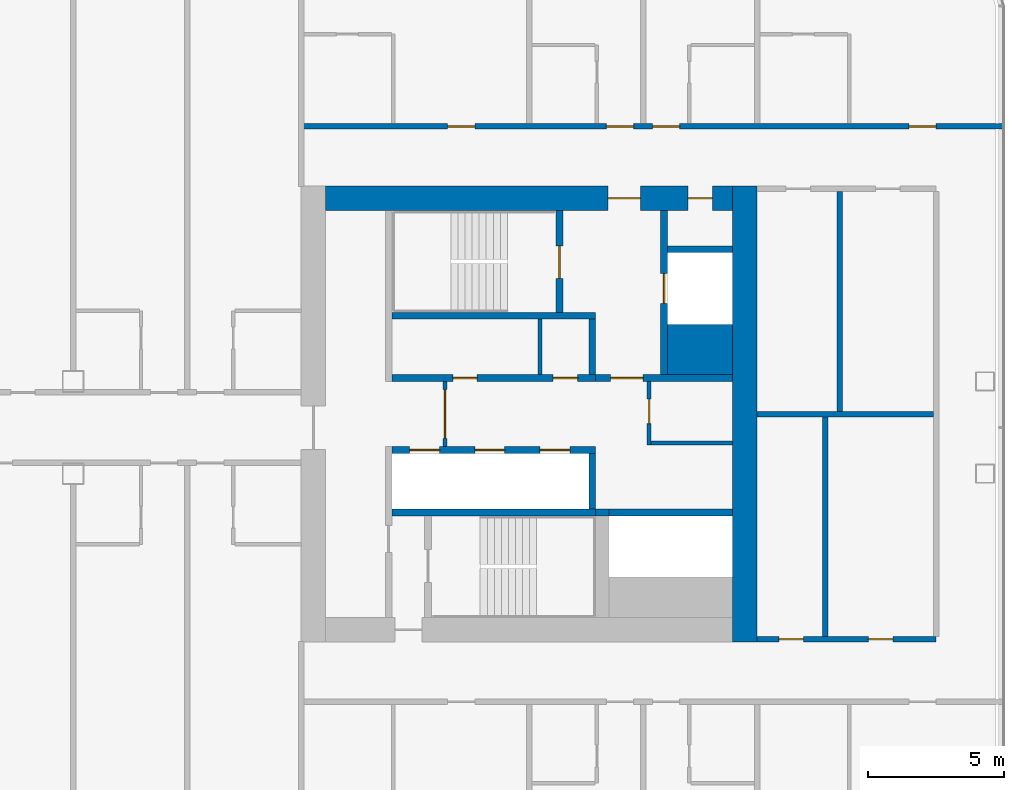
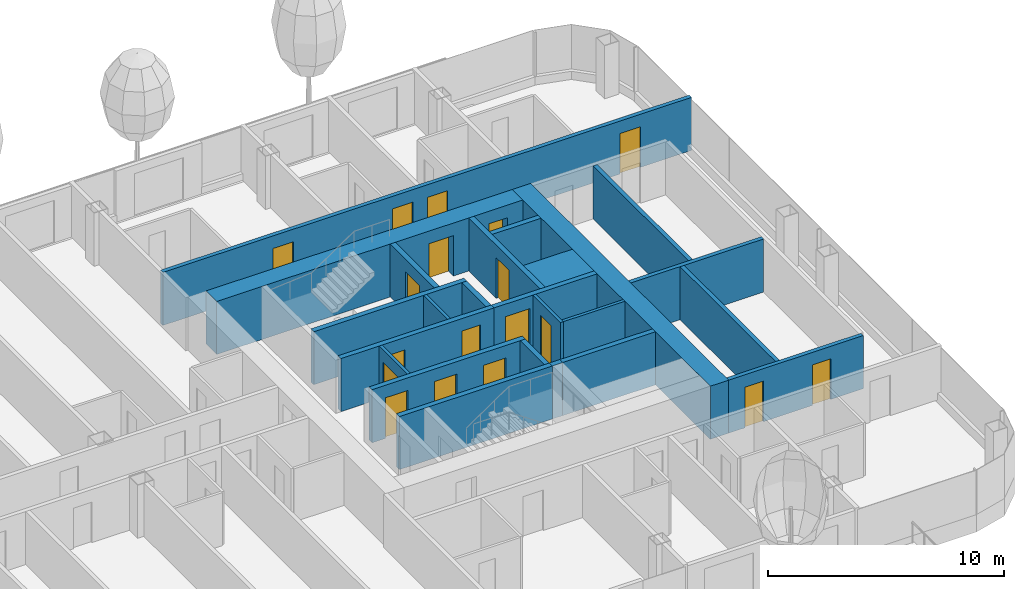
# One storey, part 15 of 30: 24 walls, 18 doors, 18 openings.
"""IFC4 building model written with IfcOpenShell, lengths in metres."""

import ifcopenshell
import ifcopenshell.guid

model = None  # the IFC model being written
_history = None  # IfcOwnerHistory: only IFC2X3 demands one
_inside = {}  # id of a spatial element -> (the spatial element, [elements in it])
_under = {}  # id of a project, library or spatial element -> (it, [spatial elements below it])
_declared = {}  # id of a project -> (the project, [libraries it declares])
_typed = {}  # id of a type object -> (the type object, [elements of that type])
_made_of = {}  # id of a material, layer set ... -> (it, [elements and type objects made of it])


def new_model(schema):
    """Start an empty IFC model of exactly this schema.

    Asked for "IFC4X3", IfcOpenShell would pick the latest addendum, in which some entities
    have other attributes; the version numbers below select the first issue.
    IFC2X3 requires an IfcOwnerHistory on every rooted entity: one is made here for all.
    """
    global model, _history
    if schema == "IFC4X3":
        model = ifcopenshell.file(schema_version=(4, 3, 0, 0))
    else:
        model = ifcopenshell.file(schema=schema)
    _inside.clear()
    _under.clear()
    _declared.clear()
    _typed.clear()
    _made_of.clear()
    _history = None
    if model.schema == "IFC2X3":
        org = make("IfcOrganization", Name="unknown")
        user = make(
            "IfcPersonAndOrganization",
            ThePerson=make("IfcPerson", FamilyName="unknown"),
            TheOrganization=org,
        )
        app = make(
            "IfcApplication",
            ApplicationDeveloper=org,
            Version="unknown",
            ApplicationFullName="unknown",
            ApplicationIdentifier="unknown",
        )
        _history = make(
            "IfcOwnerHistory",
            OwningUser=user,
            OwningApplication=app,
            ChangeAction="ADDED",
            CreationDate=0,
        )
    return model


def make(cls, **values):
    """One entity of the class cls with the attributes given. An attribute that is None is left unset."""
    return model.create_entity(
        cls, **{name: value for name, value in values.items() if value is not None}
    )


def rooted(cls, **values):
    """An entity with a GlobalId (a new one), such as an element, a storey or a relation."""
    return make(cls, GlobalId=ifcopenshell.guid.new(), OwnerHistory=_history, **values)


def si_unit(unit_type, name, prefix=None):
    """IfcSIUnit, for example si_unit("LENGTHUNIT", "METRE", prefix="MILLI")."""
    return make("IfcSIUnit", UnitType=unit_type, Prefix=prefix, Name=name)


def assignment(units):
    """IfcUnitAssignment: the units of a project."""
    return None if units is None else make("IfcUnitAssignment", Units=units)


def point(xyz):
    """IfcCartesianPoint."""
    return None if xyz is None else make("IfcCartesianPoint", Coordinates=xyz)


def direction(xyz):
    """IfcDirection."""
    return None if xyz is None else make("IfcDirection", DirectionRatios=xyz)


def frame(location, z_axis=None, x_axis=None):
    """IfcAxis2Placement3D, a coordinate frame: its origin and axes. An axis left out is left unset."""
    return make(
        "IfcAxis2Placement3D",
        Location=point(location),
        Axis=direction(z_axis),
        RefDirection=direction(x_axis),
    )


def frame_2d(location, x_axis=None):
    """IfcAxis2Placement2D, a coordinate frame in the plane: its origin and x axis."""
    return make(
        "IfcAxis2Placement2D", Location=point(location), RefDirection=direction(x_axis)
    )


def origin():
    """The frame at (0, 0, 0) with its axes left unset."""
    return frame((0.0, 0.0, 0.0))


def place(relative_to, where):
    """IfcLocalPlacement: puts the frame where relative to a parent placement (None: the world)."""
    return make(
        "IfcLocalPlacement", PlacementRelTo=relative_to, RelativePlacement=where
    )


def context(
    kind, dimensions, precision=None, world=None, true_north=None, identifier=None
):
    """IfcGeometricRepresentationContext, for example the 3D "Model" context."""
    return make(
        "IfcGeometricRepresentationContext",
        ContextIdentifier=identifier,
        ContextType=kind,
        CoordinateSpaceDimension=dimensions,
        Precision=precision,
        WorldCoordinateSystem=world,
        TrueNorth=true_north,
    )


def subcontext(parent, identifier, kind, view, scale=None):
    """IfcGeometricRepresentationSubContext, for example "Body" below "Model"."""
    return make(
        "IfcGeometricRepresentationSubContext",
        ContextIdentifier=identifier,
        ContextType=kind,
        ParentContext=parent,
        TargetScale=scale,
        TargetView=view,
    )


def project(units=None, contexts=None):
    """IfcProject with its units and contexts."""
    return rooted(
        "IfcProject",
        Name="project",
        RepresentationContexts=contexts,
        UnitsInContext=assignment(units),
    )


def spatial(cls, under=None, at=None, **own):
    """A site, building, storey or space (cls), placed at a placement, below another one or the project."""
    s = rooted(cls, ObjectPlacement=at, **own)
    if under is not None:
        _under.setdefault(under.id(), (under, []))[1].append(s)
    return s


def profile(cls, at=None, kind="AREA", **sizes):
    """A parametric profile (cls). Its sizes go by their IFC names, for example OverallWidth=200.0."""
    return make(cls, ProfileType=kind, Position=at, **sizes)


def rectangle(**sizes):
    """IfcRectangleProfileDef."""
    return profile("IfcRectangleProfileDef", **sizes)


def extrude(swept, where, along, depth):
    """IfcExtrudedAreaSolid: the profile swept, set in the frame where, extruded along a direction by depth."""
    return make(
        "IfcExtrudedAreaSolid",
        SweptArea=swept,
        Position=where,
        ExtrudedDirection=direction(along),
        Depth=depth,
    )


def shape(context_of_items, identifier, shape_type, items):
    """IfcShapeRepresentation: the items that make up one representation, for example the "Body"."""
    return make(
        "IfcShapeRepresentation",
        ContextOfItems=context_of_items,
        RepresentationIdentifier=identifier,
        RepresentationType=shape_type,
        Items=items,
    )


def material(Name=None, Category=None):
    """IfcMaterial."""
    return make("IfcMaterial", Name=Name, Category=Category)


def layer(
    of_material, thickness, ventilated=None, Name=None, Category=None, Priority=None
):
    """IfcMaterialLayer: one layer of a wall or slab, of a material (None: an air gap)."""
    return make(
        "IfcMaterialLayer",
        Material=of_material,
        LayerThickness=thickness,
        IsVentilated=ventilated,
        Name=Name,
        Category=Category,
        Priority=Priority,
    )


def layer_set(layers, Name=None):
    """IfcMaterialLayerSet."""
    return make("IfcMaterialLayerSet", MaterialLayers=layers, LayerSetName=Name)


def made_of(thing, what):
    """Note that an element or type object is made of a material, layer set ...; save() writes the relation."""
    if what is not None:
        _made_of.setdefault(what.id(), (what, []))[1].append(thing)
    return thing


def type_object(cls, material=None, **own):
    """A type object (cls), such as IfcWallType, which elements share."""
    return made_of(rooted(cls, **own), material)


def element(
    cls,
    number,
    at=None,
    inside=None,
    cuts=None,
    type_object=None,
    material=None,
    context=None,
    identifier="Body",
    shape_type=None,
    held_by="IfcProductDefinitionShape",
    body=None,
    shapes=None,
    **own,
):
    """One element of the class cls, such as IfcWall. Its Tag is "e" and its number.

    at: its placement. inside: the storey or other place that contains it. cuts: it is an
    opening in that element (IfcRelVoidsElement). A single representation is given by context,
    identifier, shape_type and body (its items); several are given by shapes. held_by: the class
    of the entity that holds the representations. save() writes the other relations.
    """
    e = rooted(cls, Tag="e%d" % number, ObjectPlacement=at, **own)
    if body is not None:
        shapes = [shape(context, identifier, shape_type, body)]
    if shapes is not None:
        e.Representation = make(held_by, Representations=shapes)
    if inside is not None:
        _inside.setdefault(inside.id(), (inside, []))[1].append(e)
    if cuts is not None:
        rooted(
            "IfcRelVoidsElement", RelatingBuildingElement=cuts, RelatedOpeningElement=e
        )
    if type_object is not None:
        _typed.setdefault(type_object.id(), (type_object, []))[1].append(e)
    return made_of(e, material)


def fill(opening, filler):
    """IfcRelFillsElement: the door or window that sits in an opening."""
    return rooted(
        "IfcRelFillsElement",
        RelatingOpeningElement=opening,
        RelatedBuildingElement=filler,
    )


def aggregate(whole, parts):
    """IfcRelAggregates: a whole, such as a stair, and the parts it consists of."""
    return rooted("IfcRelAggregates", RelatingObject=whole, RelatedObjects=parts)


def save(model, path):
    """Write the relations noted so far, then the file.

    IfcRelAggregates (storeys below a building ...), IfcRelContainedInSpatialStructure (elements
    in a storey), IfcRelDefinesByType, IfcRelAssociatesMaterial and IfcRelDeclares: one each for
    every whole, place, type object, material and project.
    """
    for whole, parts in _under.values():
        aggregate(whole, parts)
    for where, things in _inside.values():
        rooted(
            "IfcRelContainedInSpatialStructure",
            RelatedElements=things,
            RelatingStructure=where,
        )
    for kind, things in _typed.values():
        rooted("IfcRelDefinesByType", RelatedObjects=things, RelatingType=kind)
    for what, things in _made_of.values():
        rooted("IfcRelAssociatesMaterial", RelatedObjects=things, RelatingMaterial=what)
    for by, libraries in _declared.values():
        rooted("IfcRelDeclares", RelatingContext=by, RelatedDefinitions=libraries)
    model.write(path)


model = new_model("IFC4")

# Units and contexts
model_context = context("Model", 3, precision=1e-05, world=origin(), true_north=direction((0.0, 1.0)))
body_context = subcontext(model_context, "Body", "Model", "MODEL_VIEW")
ifc_project = project(units=[si_unit("LENGTHUNIT", "METRE"), si_unit("AREAUNIT", "SQUARE_METRE"), si_unit("VOLUMEUNIT", "CUBIC_METRE"), si_unit("PLANEANGLEUNIT", "RADIAN"), si_unit("MASSUNIT", "GRAM", prefix="KILO")], contexts=[model_context])

# Site, building, storey
site_placement = place(None, origin())
site = spatial("IfcSite", under=ifc_project, at=site_placement, CompositionType="ELEMENT")
building_placement = place(site_placement, origin())
building = spatial("IfcBuilding", under=site, at=building_placement, Name="Hakoniwa Tower and Hamabe Station Hall", CompositionType="ELEMENT")
storey_placement = place(building_placement, frame((0.0, 0.0, 137.39990234375)))
storey = spatial("IfcBuildingStorey", under=building, at=storey_placement, Name="L38", CompositionType="ELEMENT", Elevation=137.39990234375)

# Wall, opening, door
ifc_material_1 = material(Name="Gypsum board partition")
ifc_layer_1 = layer(ifc_material_1, 0.14990234375)
ifc_layer_set_1 = layer_set([ifc_layer_1], Name="CORE PARTITION 150 EI 60")
wall_type_1 = type_object("IfcWallType", Name="CORE PARTITION 150 EI 60", PredefinedType="PARTITIONING", material=ifc_layer_set_1)
wall_1_placement = place(storey_placement, frame((22.10009765625, -1.199951171875, 0.0), z_axis=(0.0, 0.0, 1.0), x_axis=(0.0, 1.0, 0.0)))
wall_1 = element("IfcWall", 1, at=wall_1_placement, inside=storey, type_object=wall_type_1, Name="Core partition PL0 east", PredefinedType="PARTITIONING", context=body_context, shape_type="SweptSolid", body=[
    extrude(rectangle(XDim=2.39990234375, YDim=0.14990234375, at=frame_2d((1.199951171875, 0.0))), origin(), (0.0, 0.0, 1.0), 2.75),
])
opening_1_placement = place(wall_1_placement, frame((0.300048828125, 0.0, 0.0)))
opening_1 = element("IfcOpeningElement", 2, at=opening_1_placement, cuts=wall_1, Name="Opening CD-E-LP0-18", PredefinedType="OPENING", context=body_context, shape_type="SweptSolid", body=[
    extrude(rectangle(XDim=1.800048828125, YDim=2.10009765625, at=frame_2d((0.89990234375, 1.050048828125))), frame((0.0, 0.0849609375, 0.0), z_axis=(0.0, -1.0, 0.0), x_axis=(1.0, 0.0, 0.0)), (0.0, 0.0, 1.0), 0.169921875),
])
ifc_material_2 = material(Name="Steel fire door", Category="steel")
door_type_1 = type_object("IfcDoorType", Name="CORE DOOR 1800 FD60", OperationType="DOUBLE_DOOR_SINGLE_SWING", PredefinedType="DOOR", material=ifc_material_2)
door_1_placement = place(opening_1_placement, origin())
door_1 = element("IfcDoor", 3, at=door_1_placement, inside=storey, type_object=door_type_1, Name="Lift lobby partition door", OperationType="DOUBLE_DOOR_SINGLE_SWING", OverallHeight=2.10009765625, OverallWidth=1.800048828125, PredefinedType="DOOR", context=body_context, shape_type="SweptSolid", body=[
    extrude(rectangle(XDim=1.800048828125, YDim=2.10009765625, at=frame_2d((0.89990234375, 1.050048828125))), frame((0.0, 0.02490234375, 0.0), z_axis=(0.0, -1.0, 0.0), x_axis=(1.0, 0.0, 0.0)), (0.0, 0.0, 1.0), 0.050048828125),
])
fill(opening_1, door_1)

wall_2_placement = place(storey_placement, frame((29.625, -1.14990234375, 0.0), z_axis=(0.0, 0.0, 1.0), x_axis=(0.0, 1.0, 0.0)))
wall_2 = element("IfcWall", 4, at=wall_2_placement, inside=storey, type_object=wall_type_1, Name="Core partition PW0 east", PredefinedType="PARTITIONING", context=body_context, shape_type="SweptSolid", body=[
    extrude(rectangle(XDim=2.349853515625, YDim=0.14990234375, at=frame_2d((1.1748046875, 0.0))), origin(), (0.0, 0.0, 1.0), 2.75),
])
opening_2_placement = place(wall_2_placement, frame((0.800048828125, 0.0, 0.0)))
opening_2 = element("IfcOpeningElement", 5, at=opening_2_placement, cuts=wall_2, Name="Opening CD-E-RM1-9", PredefinedType="OPENING", context=body_context, shape_type="SweptSolid", body=[
    extrude(rectangle(XDim=0.89990234375, YDim=2.10009765625, at=frame_2d((0.449951171875, 1.050048828125))), frame((0.0, 0.0849609375, 0.0), z_axis=(0.0, -1.0, 0.0), x_axis=(1.0, 0.0, 0.0)), (0.0, 0.0, 1.0), 0.169921875),
])
ifc_material_3 = material(Name="Steel fire door", Category="steel")
door_type_2 = type_object("IfcDoorType", Name="CORE DOOR 900 FD30", OperationType="NOTDEFINED", PredefinedType="DOOR", material=ifc_material_3)
door_2_placement = place(opening_2_placement, origin())
door_2 = element("IfcDoor", 6, at=door_2_placement, inside=storey, type_object=door_type_2, Name="Store room door", OperationType="SINGLE_SWING_RIGHT", OverallHeight=2.10009765625, OverallWidth=0.89990234375, PredefinedType="DOOR", context=body_context, shape_type="SweptSolid", body=[
    extrude(rectangle(XDim=0.89990234375, YDim=2.10009765625, at=frame_2d((0.449951171875, 1.050048828125))), frame((0.0, 0.02490234375, 0.0), z_axis=(0.0, -1.0, 0.0), x_axis=(1.0, 0.0, 0.0)), (0.0, 0.0, 1.0), 0.050048828125),
])
fill(opening_2, door_2)

# Walls
wall_3_placement = place(storey_placement, frame((29.699951171875, -1.074951171875, 0.0), z_axis=(0.0, 0.0, 1.0), x_axis=(1.0, 0.0, 0.0)))
element("IfcWall", 7, at=wall_3_placement, inside=storey, type_object=wall_type_1, Name="Core partition PS east", PredefinedType="PARTITIONING", context=body_context, shape_type="SweptSolid", body=[
    extrude(rectangle(XDim=3.0, YDim=0.14990234375, at=frame_2d((1.5, 0.0))), origin(), (0.0, 0.0, 1.0), 2.75),
])
wall_4_placement = place(storey_placement, frame((25.60009765625, 1.449951171875, 0.0), z_axis=(0.0, 0.0, 1.0), x_axis=(0.0, 1.0, 0.0)))
element("IfcWall", 8, at=wall_4_placement, inside=storey, type_object=wall_type_1, Name="Core partition PFLR0 east", PredefinedType="PARTITIONING", context=body_context, shape_type="SweptSolid", body=[
    extrude(rectangle(XDim=2.050048828125, YDim=0.14990234375, at=frame_2d((1.02490234375, 0.0))), origin(), (0.0, 0.0, 1.0), 2.75),
])
ifc_material_4 = material(Name="Concrete C66", Category="concrete")
ifc_layer_2 = layer(ifc_material_4, 0.89990234375)
ifc_layer_set_2 = layer_set([ifc_layer_2], Name="CORE WALL 900 C66")
wall_type_2 = type_object("IfcWallType", Name="CORE WALL 900 C66", PredefinedType="SHEAR", material=ifc_layer_set_2)
wall_5_placement = place(storey_placement, frame((33.14990234375, -8.39990234375, 0.0), z_axis=(0.0, 0.0, 1.0), x_axis=(0.0, 1.0, 0.0)))
element("IfcWall", 9, at=wall_5_placement, inside=storey, type_object=wall_type_2, Name="Core wall OUTER east", PredefinedType="SHEAR", context=body_context, shape_type="SweptSolid", body=[
    extrude(rectangle(XDim=16.7998046875, YDim=0.89990234375, at=frame_2d((8.39990234375, 0.0))), origin(), (0.0, 0.0, 1.0), 2.75),
])

# Wall, openings, doors
wall_6_placement = place(storey_placement, frame((17.699951171875, 7.949951171875, 0.0), z_axis=(0.0, 0.0, 1.0), x_axis=(1.0, 0.0, 0.0)))
wall_6 = element("IfcWall", 10, at=wall_6_placement, inside=storey, type_object=wall_type_2, Name="Core wall NORTH east", PredefinedType="SHEAR", context=body_context, shape_type="SweptSolid", body=[
    extrude(rectangle(XDim=15.0, YDim=0.89990234375, at=frame_2d((7.5, 0.0))), origin(), (0.0, 0.0, 1.0), 2.75),
])
opening_3_placement = place(wall_6_placement, frame((10.39990234375, 0.0, 0.0)))
opening_3 = element("IfcOpeningElement", 11, at=opening_3_placement, cuts=wall_6, Name="Opening CD-E-FN1-12", PredefinedType="OPENING", context=body_context, shape_type="SweptSolid", body=[
    extrude(rectangle(XDim=1.199951171875, YDim=2.10009765625, at=frame_2d((0.60009765625, 1.050048828125))), frame((0.0, 0.4599609375, 0.0), z_axis=(0.0, -1.0, 0.0), x_axis=(1.0, 0.0, 0.0)), (0.0, 0.0, 1.0), 0.919921875),
])
opening_4_placement = place(wall_6_placement, frame((13.35009765625, 0.0, 0.0)))
opening_4 = element("IfcOpeningElement", 12, at=opening_4_placement, cuts=wall_6, Name="Opening CD-E-FN2-9", PredefinedType="OPENING", context=body_context, shape_type="SweptSolid", body=[
    extrude(rectangle(XDim=0.89990234375, YDim=2.10009765625, at=frame_2d((0.449951171875, 1.050048828125))), frame((0.0, 0.4599609375, 0.0), z_axis=(0.0, -1.0, 0.0), x_axis=(1.0, 0.0, 0.0)), (0.0, 0.0, 1.0), 0.919921875),
])
ifc_material_5 = material(Name="Steel fire door", Category="steel")
door_type_3 = type_object("IfcDoorType", Name="CORE DOOR 1200 FD60", OperationType="DOUBLE_DOOR_SINGLE_SWING", PredefinedType="DOOR", material=ifc_material_5)
door_3_placement = place(opening_3_placement, origin())
door_3 = element("IfcDoor", 13, at=door_3_placement, inside=storey, type_object=door_type_3, Name="Stair vestibule door to the fire-fighting lobby", OperationType="DOUBLE_DOOR_SINGLE_SWING", OverallHeight=2.10009765625, OverallWidth=1.199951171875, PredefinedType="DOOR", context=body_context, shape_type="SweptSolid", body=[
    extrude(rectangle(XDim=1.199951171875, YDim=2.10009765625, at=frame_2d((0.60009765625, 1.050048828125))), frame((0.0, 0.02490234375, 0.0), z_axis=(0.0, -1.0, 0.0), x_axis=(1.0, 0.0, 0.0)), (0.0, 0.0, 1.0), 0.050048828125),
])
fill(opening_3, door_3)
door_4_placement = place(opening_4_placement, origin())
door_4 = element("IfcDoor", 14, at=door_4_placement, inside=storey, type_object=door_type_2, Name="Riser access door", OperationType="SINGLE_SWING_RIGHT", OverallHeight=2.10009765625, OverallWidth=0.89990234375, PredefinedType="DOOR", context=body_context, shape_type="SweptSolid", body=[
    extrude(rectangle(XDim=0.89990234375, YDim=2.10009765625, at=frame_2d((0.449951171875, 1.050048828125))), frame((0.0, 0.02490234375, 0.0), z_axis=(0.0, -1.0, 0.0), x_axis=(1.0, 0.0, 0.0)), (0.0, 0.0, 1.0), 0.050048828125),
])
fill(opening_4, door_4)

# Wall
ifc_material_6 = material(Name="Concrete C66", Category="concrete")
ifc_layer_3 = layer(ifc_material_6, 1.85009765625)
ifc_layer_set_3 = layer_set([ifc_layer_3], Name="CORE WEB WALL 1850 C66")
wall_type_3 = type_object("IfcWallType", Name="CORE WEB WALL 1850 C66", PredefinedType="SHEAR", material=ifc_layer_set_3)
wall_7_placement = place(storey_placement, frame((30.300048828125, 2.375, 0.0), z_axis=(0.0, 0.0, 1.0), x_axis=(1.0, 0.0, 0.0)))
element("IfcWall", 15, at=wall_7_placement, inside=storey, type_object=wall_type_3, Name="Core wall CA east", PredefinedType="SHEAR", context=body_context, shape_type="SweptSolid", body=[
    extrude(rectangle(XDim=2.39990234375, YDim=1.85009765625, at=frame_2d((1.199951171875, 0.0))), origin(), (0.0, 0.0, 1.0), 2.75),
])

# Wall, openings, doors
ifc_material_7 = material(Name="Concrete C66", Category="concrete")
ifc_layer_4 = layer(ifc_material_7, 0.25)
ifc_layer_set_4 = layer_set([ifc_layer_4], Name="CORE WEB WALL 250 C66")
wall_type_4 = type_object("IfcWallType", Name="CORE WEB WALL 250 C66", PredefinedType="SHEAR", material=ifc_layer_set_4)
wall_8_placement = place(storey_placement, frame((20.14990234375, 1.324951171875, 0.0), z_axis=(0.0, 0.0, 1.0), x_axis=(1.0, 0.0, 0.0)))
wall_8 = element("IfcWall", 16, at=wall_8_placement, inside=storey, type_object=wall_type_4, Name="Core wall NF east", PredefinedType="SHEAR", context=body_context, shape_type="SweptSolid", body=[
    extrude(rectangle(XDim=7.5, YDim=0.25, at=frame_2d((3.75, 0.0))), origin(), (0.0, 0.0, 1.0), 2.75),
])
opening_5_placement = place(wall_8_placement, frame((2.237548828125, 0.0, 0.0)))
opening_5 = element("IfcOpeningElement", 17, at=opening_5_placement, cuts=wall_8, Name="Opening CD-E-FRLR0-9", PredefinedType="OPENING", context=body_context, shape_type="SweptSolid", body=[
    extrude(rectangle(XDim=0.89990234375, YDim=2.10009765625, at=frame_2d((0.449951171875, 1.050048828125))), frame((0.0, 0.135009765625, 0.0), z_axis=(0.0, -1.0, 0.0), x_axis=(1.0, 0.0, 0.0)), (0.0, 0.0, 1.0), 0.27001953125),
])
opening_6_placement = place(wall_8_placement, frame((5.9375, 0.0, 0.0)))
opening_6 = element("IfcOpeningElement", 18, at=opening_6_placement, cuts=wall_8, Name="Opening CD-E-FRLR1-9", PredefinedType="OPENING", context=body_context, shape_type="SweptSolid", body=[
    extrude(rectangle(XDim=0.89990234375, YDim=2.10009765625, at=frame_2d((0.449951171875, 1.050048828125))), frame((0.0, 0.135009765625, 0.0), z_axis=(0.0, -1.0, 0.0), x_axis=(1.0, 0.0, 0.0)), (0.0, 0.0, 1.0), 0.27001953125),
])
door_5_placement = place(opening_5_placement, origin())
door_5 = element("IfcDoor", 19, at=door_5_placement, inside=storey, type_object=door_type_2, Name="Store room door", OperationType="SINGLE_SWING_RIGHT", OverallHeight=2.10009765625, OverallWidth=0.89990234375, PredefinedType="DOOR", context=body_context, shape_type="SweptSolid", body=[
    extrude(rectangle(XDim=0.89990234375, YDim=2.10009765625, at=frame_2d((0.449951171875, 1.050048828125))), frame((0.0, 0.02490234375, 0.0), z_axis=(0.0, -1.0, 0.0), x_axis=(1.0, 0.0, 0.0)), (0.0, 0.0, 1.0), 0.050048828125),
])
fill(opening_5, door_5)
door_6_placement = place(opening_6_placement, origin())
door_6 = element("IfcDoor", 20, at=door_6_placement, inside=storey, type_object=door_type_2, Name="Store room door", OperationType="SINGLE_SWING_LEFT", OverallHeight=2.10009765625, OverallWidth=0.89990234375, PredefinedType="DOOR", context=body_context, shape_type="SweptSolid", body=[
    extrude(rectangle(XDim=0.89990234375, YDim=2.10009765625, at=frame_2d((0.449951171875, 1.050048828125))), frame((0.0, 0.02490234375, 0.0), z_axis=(0.0, -1.0, 0.0), x_axis=(1.0, 0.0, 0.0)), (0.0, 0.0, 1.0), 0.050048828125),
])
fill(opening_6, door_6)

# Walls
wall_9_placement = place(storey_placement, frame((27.52490234375, 1.449951171875, 0.0), z_axis=(0.0, 0.0, 1.0), x_axis=(0.0, 1.0, 0.0)))
element("IfcWall", 21, at=wall_9_placement, inside=storey, type_object=wall_type_4, Name="Core wall NE east", PredefinedType="SHEAR", context=body_context, shape_type="SweptSolid", body=[
    extrude(rectangle(XDim=2.050048828125, YDim=0.25, at=frame_2d((1.02490234375, 0.0))), origin(), (0.0, 0.0, 1.0), 2.75),
])
wall_10_placement = place(storey_placement, frame((20.14990234375, 3.625, 0.0), z_axis=(0.0, 0.0, 1.0), x_axis=(1.0, 0.0, 0.0)))
element("IfcWall", 22, at=wall_10_placement, inside=storey, type_object=wall_type_4, Name="Core wall NR east", PredefinedType="SHEAR", context=body_context, shape_type="SweptSolid", body=[
    extrude(rectangle(XDim=7.5, YDim=0.25, at=frame_2d((3.75, 0.0))), origin(), (0.0, 0.0, 1.0), 2.75),
])

# Wall, opening, door
wall_11_placement = place(storey_placement, frame((26.324951171875, 3.75, 0.0), z_axis=(0.0, 0.0, 1.0), x_axis=(0.0, 1.0, 0.0)))
wall_11 = element("IfcWall", 23, at=wall_11_placement, inside=storey, type_object=wall_type_4, Name="Core wall NSE east", PredefinedType="SHEAR", context=body_context, shape_type="SweptSolid", body=[
    extrude(rectangle(XDim=3.75, YDim=0.25, at=frame_2d((1.875, 0.0))), origin(), (0.0, 0.0, 1.0), 2.75),
])
opening_7_placement = place(wall_11_placement, frame((1.25, 0.0, 0.0)))
opening_7 = element("IfcOpeningElement", 24, at=opening_7_placement, cuts=wall_11, Name="Opening CD-E-SN-12", PredefinedType="OPENING", context=body_context, shape_type="SweptSolid", body=[
    extrude(rectangle(XDim=1.199951171875, YDim=2.10009765625, at=frame_2d((0.60009765625, 1.050048828125))), frame((0.0, 0.135009765625, 0.0), z_axis=(0.0, -1.0, 0.0), x_axis=(1.0, 0.0, 0.0)), (0.0, 0.0, 1.0), 0.27001953125),
])
door_7_placement = place(opening_7_placement, origin())
door_7 = element("IfcDoor", 25, at=door_7_placement, inside=storey, type_object=door_type_3, Name="Escape stair door", OperationType="DOUBLE_DOOR_SINGLE_SWING", OverallHeight=2.10009765625, OverallWidth=1.199951171875, PredefinedType="DOOR", context=body_context, shape_type="SweptSolid", body=[
    extrude(rectangle(XDim=1.199951171875, YDim=2.10009765625, at=frame_2d((0.60009765625, 1.050048828125))), frame((0.0, 0.02490234375, 0.0), z_axis=(0.0, -1.0, 0.0), x_axis=(1.0, 0.0, 0.0)), (0.0, 0.0, 1.0), 0.050048828125),
])
fill(opening_7, door_7)

wall_12_placement = place(storey_placement, frame((27.64990234375, 1.324951171875, 0.0), z_axis=(0.0, 0.0, 1.0), x_axis=(1.0, 0.0, 0.0)))
wall_12 = element("IfcWall", 26, at=wall_12_placement, inside=storey, type_object=wall_type_4, Name="Core wall ELN east", PredefinedType="SHEAR", context=body_context, shape_type="SweptSolid", body=[
    extrude(rectangle(XDim=5.050048828125, YDim=0.25, at=frame_2d((2.52490234375, 0.0))), origin(), (0.0, 0.0, 1.0), 2.75),
])
opening_8_placement = place(wall_12_placement, frame((0.550048828125, 0.0, 0.0)))
opening_8 = element("IfcOpeningElement", 27, at=opening_8_placement, cuts=wall_12, Name="Opening CD-E-FL-12", PredefinedType="OPENING", context=body_context, shape_type="SweptSolid", body=[
    extrude(rectangle(XDim=1.199951171875, YDim=2.10009765625, at=frame_2d((0.60009765625, 1.050048828125))), frame((0.0, 0.135009765625, 0.0), z_axis=(0.0, -1.0, 0.0), x_axis=(1.0, 0.0, 0.0)), (0.0, 0.0, 1.0), 0.27001953125),
])
door_8_placement = place(opening_8_placement, origin())
door_8 = element("IfcDoor", 28, at=door_8_placement, inside=storey, type_object=door_type_3, Name="Stair vestibule door to the fire-fighting lobby", OperationType="DOUBLE_DOOR_SINGLE_SWING", OverallHeight=2.10009765625, OverallWidth=1.199951171875, PredefinedType="DOOR", context=body_context, shape_type="SweptSolid", body=[
    extrude(rectangle(XDim=1.199951171875, YDim=2.10009765625, at=frame_2d((0.60009765625, 1.050048828125))), frame((0.0, 0.02490234375, 0.0), z_axis=(0.0, -1.0, 0.0), x_axis=(1.0, 0.0, 0.0)), (0.0, 0.0, 1.0), 0.050048828125),
])
fill(opening_8, door_8)

wall_13_placement = place(storey_placement, frame((30.175048828125, 1.449951171875, 0.0), z_axis=(0.0, 0.0, 1.0), x_axis=(0.0, 1.0, 0.0)))
wall_13 = element("IfcWall", 29, at=wall_13_placement, inside=storey, type_object=wall_type_4, Name="Core wall FFF east", PredefinedType="SHEAR", context=body_context, shape_type="SweptSolid", body=[
    extrude(rectangle(XDim=6.050048828125, YDim=0.25, at=frame_2d((3.02490234375, 0.0))), origin(), (0.0, 0.0, 1.0), 2.75),
])
opening_9_placement = place(wall_13_placement, frame((2.625, 0.0, 0.0)))
opening_9 = element("IfcOpeningElement", 30, at=opening_9_placement, cuts=wall_13, Name="Opening LD-FF2", PredefinedType="OPENING", context=body_context, shape_type="SweptSolid", body=[
    extrude(rectangle(XDim=1.10009765625, YDim=2.10009765625, at=frame_2d((0.550048828125, 1.050048828125))), frame((0.0, 0.135009765625, 0.0), z_axis=(0.0, -1.0, 0.0), x_axis=(1.0, 0.0, 0.0)), (0.0, 0.0, 1.0), 0.27001953125),
])
ifc_material_8 = material(Name="Stainless steel SUS304", Category="steel")
door_type_4 = type_object("IfcDoorType", Name="LIFT LANDING DOOR 1100 FD60", OperationType="DOUBLE_DOOR_SLIDING", PredefinedType="DOOR", material=ifc_material_8)
door_9_placement = place(opening_9_placement, origin())
door_9 = element("IfcDoor", 31, at=door_9_placement, inside=storey, type_object=door_type_4, Name="Lift landing door FF2 L38", OperationType="DOUBLE_DOOR_SLIDING", OverallHeight=2.10009765625, OverallWidth=1.10009765625, PredefinedType="DOOR", context=body_context, shape_type="SweptSolid", body=[
    extrude(rectangle(XDim=1.10009765625, YDim=2.10009765625, at=frame_2d((0.550048828125, 1.050048828125))), frame((0.0, 0.02490234375, 0.0), z_axis=(0.0, -1.0, 0.0), x_axis=(1.0, 0.0, 0.0)), (0.0, 0.0, 1.0), 0.050048828125),
])
fill(opening_9, door_9)

# Wall
wall_14_placement = place(storey_placement, frame((30.300048828125, 6.074951171875, 0.0), z_axis=(0.0, 0.0, 1.0), x_axis=(1.0, 0.0, 0.0)))
element("IfcWall", 32, at=wall_14_placement, inside=storey, type_object=wall_type_4, Name="Core wall C2 east", PredefinedType="SHEAR", context=body_context, shape_type="SweptSolid", body=[
    extrude(rectangle(XDim=2.39990234375, YDim=0.25, at=frame_2d((1.199951171875, 0.0))), origin(), (0.0, 0.0, 1.0), 2.75),
])

# Wall, openings, doors
wall_15_placement = place(storey_placement, frame((20.14990234375, -1.324951171875, 0.0), z_axis=(0.0, 0.0, 1.0), x_axis=(1.0, 0.0, 0.0)))
wall_15 = element("IfcWall", 33, at=wall_15_placement, inside=storey, type_object=wall_type_4, Name="Core wall SF east", PredefinedType="SHEAR", context=body_context, shape_type="SweptSolid", body=[
    extrude(rectangle(XDim=7.5, YDim=0.25, at=frame_2d((3.75, 0.0))), origin(), (0.0, 0.0, 1.0), 2.75),
])
opening_10_placement = place(wall_15_placement, frame((0.64990234375, 0.0, 0.0)))
opening_10 = element("IfcOpeningElement", 34, at=opening_10_placement, cuts=wall_15, Name="Opening LD-HR4", PredefinedType="OPENING", context=body_context, shape_type="SweptSolid", body=[
    extrude(rectangle(XDim=1.10009765625, YDim=2.10009765625, at=frame_2d((0.550048828125, 1.050048828125))), frame((0.0, 0.135009765625, 0.0), z_axis=(0.0, -1.0, 0.0), x_axis=(1.0, 0.0, 0.0)), (0.0, 0.0, 1.0), 0.27001953125),
])
opening_11_placement = place(wall_15_placement, frame((3.050048828125, 0.0, 0.0)))
opening_11 = element("IfcOpeningElement", 35, at=opening_11_placement, cuts=wall_15, Name="Opening LD-HR5", PredefinedType="OPENING", context=body_context, shape_type="SweptSolid", body=[
    extrude(rectangle(XDim=1.10009765625, YDim=2.10009765625, at=frame_2d((0.550048828125, 1.050048828125))), frame((0.0, 0.135009765625, 0.0), z_axis=(0.0, -1.0, 0.0), x_axis=(1.0, 0.0, 0.0)), (0.0, 0.0, 1.0), 0.27001953125),
])
opening_12_placement = place(wall_15_placement, frame((5.449951171875, 0.0, 0.0)))
opening_12 = element("IfcOpeningElement", 36, at=opening_12_placement, cuts=wall_15, Name="Opening LD-HR6", PredefinedType="OPENING", context=body_context, shape_type="SweptSolid", body=[
    extrude(rectangle(XDim=1.10009765625, YDim=2.10009765625, at=frame_2d((0.550048828125, 1.050048828125))), frame((0.0, 0.135009765625, 0.0), z_axis=(0.0, -1.0, 0.0), x_axis=(1.0, 0.0, 0.0)), (0.0, 0.0, 1.0), 0.27001953125),
])
door_10_placement = place(opening_10_placement, origin())
door_10 = element("IfcDoor", 37, at=door_10_placement, inside=storey, type_object=door_type_4, Name="Lift landing door HR4 L38", OperationType="DOUBLE_DOOR_SLIDING", OverallHeight=2.10009765625, OverallWidth=1.10009765625, PredefinedType="DOOR", context=body_context, shape_type="SweptSolid", body=[
    extrude(rectangle(XDim=1.10009765625, YDim=2.10009765625, at=frame_2d((0.550048828125, 1.050048828125))), frame((0.0, 0.02490234375, 0.0), z_axis=(0.0, -1.0, 0.0), x_axis=(1.0, 0.0, 0.0)), (0.0, 0.0, 1.0), 0.050048828125),
])
fill(opening_10, door_10)
door_11_placement = place(opening_11_placement, origin())
door_11 = element("IfcDoor", 38, at=door_11_placement, inside=storey, type_object=door_type_4, Name="Lift landing door HR5 L38", OperationType="DOUBLE_DOOR_SLIDING", OverallHeight=2.10009765625, OverallWidth=1.10009765625, PredefinedType="DOOR", context=body_context, shape_type="SweptSolid", body=[
    extrude(rectangle(XDim=1.10009765625, YDim=2.10009765625, at=frame_2d((0.550048828125, 1.050048828125))), frame((0.0, 0.02490234375, 0.0), z_axis=(0.0, -1.0, 0.0), x_axis=(1.0, 0.0, 0.0)), (0.0, 0.0, 1.0), 0.050048828125),
])
fill(opening_11, door_11)
door_12_placement = place(opening_12_placement, origin())
door_12 = element("IfcDoor", 39, at=door_12_placement, inside=storey, type_object=door_type_4, Name="Lift landing door HR6 L38", OperationType="DOUBLE_DOOR_SLIDING", OverallHeight=2.10009765625, OverallWidth=1.10009765625, PredefinedType="DOOR", context=body_context, shape_type="SweptSolid", body=[
    extrude(rectangle(XDim=1.10009765625, YDim=2.10009765625, at=frame_2d((0.550048828125, 1.050048828125))), frame((0.0, 0.02490234375, 0.0), z_axis=(0.0, -1.0, 0.0), x_axis=(1.0, 0.0, 0.0)), (0.0, 0.0, 1.0), 0.050048828125),
])
fill(opening_12, door_12)

# Walls
wall_16_placement = place(storey_placement, frame((27.52490234375, -3.5, 0.0), z_axis=(0.0, 0.0, 1.0), x_axis=(0.0, 1.0, 0.0)))
element("IfcWall", 40, at=wall_16_placement, inside=storey, type_object=wall_type_4, Name="Core wall SE east", PredefinedType="SHEAR", context=body_context, shape_type="SweptSolid", body=[
    extrude(rectangle(XDim=2.050048828125, YDim=0.25, at=frame_2d((1.02490234375, 0.0))), origin(), (0.0, 0.0, 1.0), 2.75),
])
wall_17_placement = place(storey_placement, frame((20.14990234375, -3.625, 0.0), z_axis=(0.0, 0.0, 1.0), x_axis=(1.0, 0.0, 0.0)))
element("IfcWall", 41, at=wall_17_placement, inside=storey, type_object=wall_type_4, Name="Core wall SR east", PredefinedType="SHEAR", context=body_context, shape_type="SweptSolid", body=[
    extrude(rectangle(XDim=7.5, YDim=0.25, at=frame_2d((3.75, 0.0))), origin(), (0.0, 0.0, 1.0), 2.75),
])
wall_18_placement = place(storey_placement, frame((28.14990234375, -3.625, 0.0), z_axis=(0.0, 0.0, 1.0), x_axis=(1.0, 0.0, 0.0)))
element("IfcWall", 42, at=wall_18_placement, inside=storey, type_object=wall_type_4, Name="Core wall SEF east", PredefinedType="SHEAR", context=body_context, shape_type="SweptSolid", body=[
    extrude(rectangle(XDim=4.550048828125, YDim=0.25, at=frame_2d((2.27490234375, 0.0))), origin(), (0.0, 0.0, 1.0), 2.75),
])
wall_19_placement = place(storey_placement, frame((27.64990234375, -3.625, 0.0), z_axis=(0.0, 0.0, 1.0), x_axis=(1.0, 0.0, 0.0)))
element("IfcWall", 43, at=wall_19_placement, inside=storey, type_object=wall_type_4, Name="Core wall SRK east", PredefinedType="SHEAR", context=body_context, shape_type="SweptSolid", body=[
    extrude(rectangle(XDim=0.5, YDim=0.25, at=frame_2d((0.25, 0.0))), origin(), (0.0, 0.0, 1.0), 2.75),
])

# Wall, openings, doors
ifc_material_9 = material(Name="Fire-rated gypsum board partition", Category="gypsum")
ifc_layer_5 = layer(ifc_material_9, 0.199951171875)
ifc_layer_set_5 = layer_set([ifc_layer_5], Name="Corridor Wall 200")
wall_type_5 = type_object("IfcWallType", Name="Corridor Wall 200", PredefinedType="PARTITIONING", material=ifc_layer_set_5)
wall_20_placement = place(storey_placement, frame((33.60009765625, -8.300048828125, 0.0), z_axis=(0.0, 0.0, 1.0), x_axis=(1.0, 0.0, 0.0)))
wall_20 = element("IfcWall", 44, at=wall_20_placement, inside=storey, type_object=wall_type_5, Name="GW-L38-008", PredefinedType="PARTITIONING", context=body_context, shape_type="SweptSolid", body=[
    extrude(rectangle(XDim=6.599853515625, YDim=0.199951171875, at=frame_2d((3.2998046875, 0.0))), origin(), (0.0, 0.0, 1.0), 2.75),
])
opening_13_placement = place(wall_20_placement, frame((0.804931640625, 0.0, 0.0)))
opening_13 = element("IfcOpeningElement", 45, at=opening_13_placement, cuts=wall_20, Name="Opening GD-G3C0-13", PredefinedType="OPENING", context=body_context, shape_type="SweptSolid", body=[
    extrude(rectangle(XDim=0.89990234375, YDim=2.10009765625, at=frame_2d((0.449951171875, 1.050048828125))), frame((0.0, 0.10986328125, 0.0), z_axis=(0.0, -1.0, 0.0), x_axis=(1.0, 0.0, 0.0)), (0.0, 0.0, 1.0), 0.219970703125),
])
opening_14_placement = place(wall_20_placement, frame((4.10498046875, 0.0, 0.0)))
opening_14 = element("IfcOpeningElement", 46, at=opening_14_placement, cuts=wall_20, Name="Opening GD-G3C0-14", PredefinedType="OPENING", context=body_context, shape_type="SweptSolid", body=[
    extrude(rectangle(XDim=0.89990234375, YDim=2.10009765625, at=frame_2d((0.449951171875, 1.050048828125))), frame((0.0, 0.10986328125, 0.0), z_axis=(0.0, -1.0, 0.0), x_axis=(1.0, 0.0, 0.0)), (0.0, 0.0, 1.0), 0.219970703125),
])
ifc_material_10 = material(Name="Timber door leaf", Category="wood")
door_type_5 = type_object("IfcDoorType", Name="Service Door 900", OperationType="SINGLE_SWING_LEFT", PredefinedType="DOOR", material=ifc_material_10)
door_13_placement = place(opening_13_placement, origin())
door_13 = element("IfcDoor", 47, at=door_13_placement, inside=storey, type_object=door_type_5, Name="Door GD-G3C0-13", OperationType="SINGLE_SWING_LEFT", OverallHeight=2.10009765625, OverallWidth=0.89990234375, PredefinedType="DOOR", context=body_context, shape_type="SweptSolid", body=[
    extrude(rectangle(XDim=0.89990234375, YDim=2.10009765625, at=frame_2d((0.449951171875, 1.050048828125))), frame((0.0, 0.02490234375, 0.0), z_axis=(0.0, -1.0, 0.0), x_axis=(1.0, 0.0, 0.0)), (0.0, 0.0, 1.0), 0.050048828125),
])
fill(opening_13, door_13)
door_14_placement = place(opening_14_placement, origin())
door_14 = element("IfcDoor", 48, at=door_14_placement, inside=storey, type_object=door_type_5, Name="Door GD-G3C0-14", OperationType="SINGLE_SWING_LEFT", OverallHeight=2.10009765625, OverallWidth=0.89990234375, PredefinedType="DOOR", context=body_context, shape_type="SweptSolid", body=[
    extrude(rectangle(XDim=0.89990234375, YDim=2.10009765625, at=frame_2d((0.449951171875, 1.050048828125))), frame((0.0, 0.02490234375, 0.0), z_axis=(0.0, -1.0, 0.0), x_axis=(1.0, 0.0, 0.0)), (0.0, 0.0, 1.0), 0.050048828125),
])
fill(opening_14, door_14)

wall_21_placement = place(storey_placement, frame((16.800048828125, 10.60009765625, 0.0), z_axis=(0.0, 0.0, 1.0), x_axis=(1.0, 0.0, 0.0)))
wall_21 = element("IfcWall", 49, at=wall_21_placement, inside=storey, type_object=wall_type_5, Name="GW-L38-026", PredefinedType="PARTITIONING", context=body_context, shape_type="SweptSolid", body=[
    extrude(rectangle(XDim=25.89990234375, YDim=0.199951171875, at=frame_2d((12.949951171875, 0.0))), origin(), (0.0, 0.0, 1.0), 2.75),
])
opening_15_placement = place(wall_21_placement, frame((5.39990234375, 0.0, 0.0)))
opening_15 = element("IfcOpeningElement", 50, at=opening_15_placement, cuts=wall_21, Name="Opening GD-G3C0-40", PredefinedType="OPENING", context=body_context, shape_type="SweptSolid", body=[
    extrude(rectangle(XDim=1.0, YDim=2.10009765625, at=frame_2d((0.5, 1.050048828125))), frame((0.0, 0.10986328125, 0.0), z_axis=(0.0, -1.0, 0.0), x_axis=(1.0, 0.0, 0.0)), (0.0, 0.0, 1.0), 0.219970703125),
])
opening_16_placement = place(wall_21_placement, frame((11.25, 0.0, 0.0)))
opening_16 = element("IfcOpeningElement", 51, at=opening_16_placement, cuts=wall_21, Name="Opening GD-G3C0-41", PredefinedType="OPENING", context=body_context, shape_type="SweptSolid", body=[
    extrude(rectangle(XDim=1.0, YDim=2.10009765625, at=frame_2d((0.5, 1.050048828125))), frame((0.0, 0.10986328125, 0.0), z_axis=(0.0, -1.0, 0.0), x_axis=(1.0, 0.0, 0.0)), (0.0, 0.0, 1.0), 0.219970703125),
])
opening_17_placement = place(wall_21_placement, frame((12.949951171875, 0.0, 0.0)))
opening_17 = element("IfcOpeningElement", 52, at=opening_17_placement, cuts=wall_21, Name="Opening GD-G3C0-42", PredefinedType="OPENING", context=body_context, shape_type="SweptSolid", body=[
    extrude(rectangle(XDim=1.0, YDim=2.10009765625, at=frame_2d((0.5, 1.050048828125))), frame((0.0, 0.10986328125, 0.0), z_axis=(0.0, -1.0, 0.0), x_axis=(1.0, 0.0, 0.0)), (0.0, 0.0, 1.0), 0.219970703125),
])
opening_18_placement = place(wall_21_placement, frame((22.39990234375, 0.0, 0.0)))
opening_18 = element("IfcOpeningElement", 53, at=opening_18_placement, cuts=wall_21, Name="Opening GD-G3C0-43", PredefinedType="OPENING", context=body_context, shape_type="SweptSolid", body=[
    extrude(rectangle(XDim=1.0, YDim=2.10009765625, at=frame_2d((0.5, 1.050048828125))), frame((0.0, 0.10986328125, 0.0), z_axis=(0.0, -1.0, 0.0), x_axis=(1.0, 0.0, 0.0)), (0.0, 0.0, 1.0), 0.219970703125),
])
ifc_material_11 = material(Name="Timber door leaf", Category="wood")
door_type_6 = type_object("IfcDoorType", Name="Guest Entrance Door 1000", OperationType="SINGLE_SWING_LEFT", PredefinedType="DOOR", material=ifc_material_11)
door_15_placement = place(opening_15_placement, origin())
door_15 = element("IfcDoor", 54, at=door_15_placement, inside=storey, type_object=door_type_6, Name="Door GD-G3C0-40", OperationType="SINGLE_SWING_RIGHT", OverallHeight=2.10009765625, OverallWidth=1.0, PredefinedType="DOOR", context=body_context, shape_type="SweptSolid", body=[
    extrude(rectangle(XDim=1.0, YDim=2.10009765625, at=frame_2d((0.5, 1.050048828125))), frame((0.0, 0.02490234375, 0.0), z_axis=(0.0, -1.0, 0.0), x_axis=(1.0, 0.0, 0.0)), (0.0, 0.0, 1.0), 0.050048828125),
])
fill(opening_15, door_15)
door_16_placement = place(opening_16_placement, origin())
door_16 = element("IfcDoor", 55, at=door_16_placement, inside=storey, type_object=door_type_6, Name="Door GD-G3C0-41", OperationType="SINGLE_SWING_LEFT", OverallHeight=2.10009765625, OverallWidth=1.0, PredefinedType="DOOR", context=body_context, shape_type="SweptSolid", body=[
    extrude(rectangle(XDim=1.0, YDim=2.10009765625, at=frame_2d((0.5, 1.050048828125))), frame((0.0, 0.02490234375, 0.0), z_axis=(0.0, -1.0, 0.0), x_axis=(1.0, 0.0, 0.0)), (0.0, 0.0, 1.0), 0.050048828125),
])
fill(opening_16, door_16)
door_17_placement = place(opening_17_placement, origin())
door_17 = element("IfcDoor", 56, at=door_17_placement, inside=storey, type_object=door_type_6, Name="Door GD-G3C0-42", OperationType="SINGLE_SWING_RIGHT", OverallHeight=2.10009765625, OverallWidth=1.0, PredefinedType="DOOR", context=body_context, shape_type="SweptSolid", body=[
    extrude(rectangle(XDim=1.0, YDim=2.10009765625, at=frame_2d((0.5, 1.050048828125))), frame((0.0, 0.02490234375, 0.0), z_axis=(0.0, -1.0, 0.0), x_axis=(1.0, 0.0, 0.0)), (0.0, 0.0, 1.0), 0.050048828125),
])
fill(opening_17, door_17)
door_18_placement = place(opening_18_placement, origin())
door_18 = element("IfcDoor", 57, at=door_18_placement, inside=storey, type_object=door_type_6, Name="Door GD-G3C0-43", OperationType="SINGLE_SWING_LEFT", OverallHeight=2.10009765625, OverallWidth=1.0, PredefinedType="DOOR", context=body_context, shape_type="SweptSolid", body=[
    extrude(rectangle(XDim=1.0, YDim=2.10009765625, at=frame_2d((0.5, 1.050048828125))), frame((0.0, 0.02490234375, 0.0), z_axis=(0.0, -1.0, 0.0), x_axis=(1.0, 0.0, 0.0)), (0.0, 0.0, 1.0), 0.050048828125),
])
fill(opening_18, door_18)

# Walls
ifc_material_12 = material(Name="Fire-rated gypsum board partition", Category="gypsum")
ifc_layer_6 = layer(ifc_material_12, 0.199951171875)
ifc_layer_set_6 = layer_set([ifc_layer_6], Name="Party Wall 200")
wall_type_6 = type_object("IfcWallType", Name="Party Wall 200", PredefinedType="PARTITIONING", material=ifc_layer_set_6)
wall_22_placement = place(storey_placement, frame((33.60009765625, 0.0, 0.0), z_axis=(0.0, 0.0, 1.0), x_axis=(1.0, 0.0, 0.0)))
element("IfcWall", 58, at=wall_22_placement, inside=storey, type_object=wall_type_6, Name="GW-L38-016", PredefinedType="PARTITIONING", context=body_context, shape_type="SweptSolid", body=[
    extrude(rectangle(XDim=6.5, YDim=0.199951171875, at=frame_2d((3.25, 0.0))), origin(), (0.0, 0.0, 1.0), 2.75),
])
for number, where, z_axis, x_axis, name in (
    (59, (36.110107421875, -8.199951171875, 0.0), (0.0, 0.0, 1.0), (0.0, 1.0, 0.0), "GW-L38-089"),
    (60, (36.639892578125, 0.0, 0.0), (0.0, 0.0, 1.0), (0.0, 1.0, 0.0), "GW-L38-090"),
):
    element("IfcWall", number, at=place(storey_placement, frame(where, z_axis=z_axis, x_axis=x_axis)), inside=storey, type_object=wall_type_6, Name=name, PredefinedType="PARTITIONING", context=body_context, shape_type="SweptSolid", body=[
        extrude(rectangle(XDim=8.199951171875, YDim=0.199951171875, at=frame_2d((4.10009765625, 0.0))), origin(), (0.0, 0.0, 1.0), 2.75),
    ])

save(model, "model.ifc")
